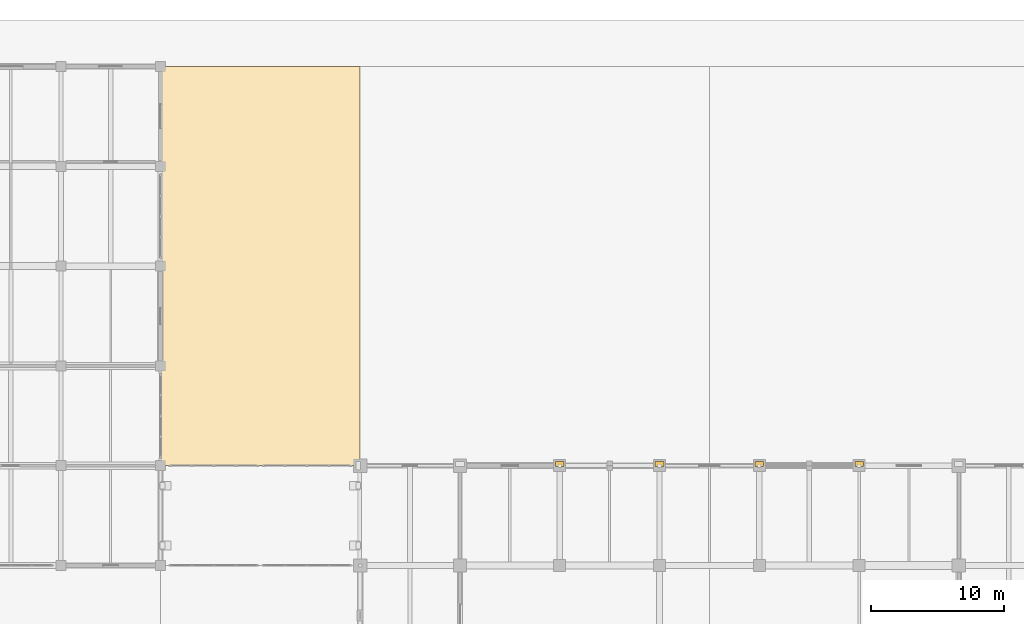
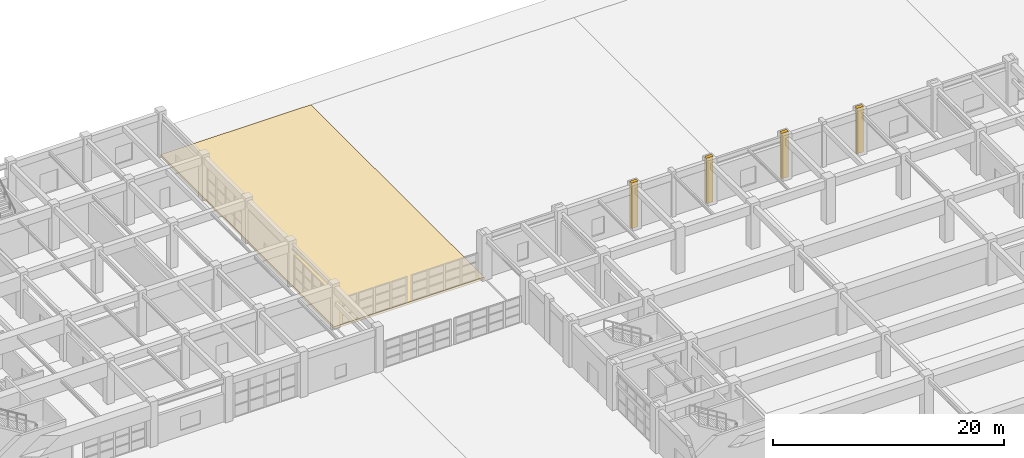
# One storey, part 116 of 122: 5 coverings.
"""IFC4 building model written with IfcOpenShell, lengths in metres."""

import ifcopenshell
import ifcopenshell.guid

model = None  # the IFC model being written
_history = None  # IfcOwnerHistory: only IFC2X3 demands one
_inside = {}  # id of a spatial element -> (the spatial element, [elements in it])
_under = {}  # id of a project, library or spatial element -> (it, [spatial elements below it])
_declared = {}  # id of a project -> (the project, [libraries it declares])
_typed = {}  # id of a type object -> (the type object, [elements of that type])
_made_of = {}  # id of a material, layer set ... -> (it, [elements and type objects made of it])


def new_model(schema):
    """Start an empty IFC model of exactly this schema.

    Asked for "IFC4X3", IfcOpenShell would pick the latest addendum, in which some entities
    have other attributes; the version numbers below select the first issue.
    IFC2X3 requires an IfcOwnerHistory on every rooted entity: one is made here for all.
    """
    global model, _history
    if schema == "IFC4X3":
        model = ifcopenshell.file(schema_version=(4, 3, 0, 0))
    else:
        model = ifcopenshell.file(schema=schema)
    _inside.clear()
    _under.clear()
    _declared.clear()
    _typed.clear()
    _made_of.clear()
    _history = None
    if model.schema == "IFC2X3":
        org = make("IfcOrganization", Name="unknown")
        user = make(
            "IfcPersonAndOrganization",
            ThePerson=make("IfcPerson", FamilyName="unknown"),
            TheOrganization=org,
        )
        app = make(
            "IfcApplication",
            ApplicationDeveloper=org,
            Version="unknown",
            ApplicationFullName="unknown",
            ApplicationIdentifier="unknown",
        )
        _history = make(
            "IfcOwnerHistory",
            OwningUser=user,
            OwningApplication=app,
            ChangeAction="ADDED",
            CreationDate=0,
        )
    return model


def make(cls, **values):
    """One entity of the class cls with the attributes given. An attribute that is None is left unset."""
    return model.create_entity(
        cls, **{name: value for name, value in values.items() if value is not None}
    )


def rooted(cls, **values):
    """An entity with a GlobalId (a new one), such as an element, a storey or a relation."""
    return make(cls, GlobalId=ifcopenshell.guid.new(), OwnerHistory=_history, **values)


def si_unit(unit_type, name, prefix=None):
    """IfcSIUnit, for example si_unit("LENGTHUNIT", "METRE", prefix="MILLI")."""
    return make("IfcSIUnit", UnitType=unit_type, Prefix=prefix, Name=name)


def assignment(units):
    """IfcUnitAssignment: the units of a project."""
    return None if units is None else make("IfcUnitAssignment", Units=units)


def point(xyz):
    """IfcCartesianPoint."""
    return None if xyz is None else make("IfcCartesianPoint", Coordinates=xyz)


def direction(xyz):
    """IfcDirection."""
    return None if xyz is None else make("IfcDirection", DirectionRatios=xyz)


def frame(location, z_axis=None, x_axis=None):
    """IfcAxis2Placement3D, a coordinate frame: its origin and axes. An axis left out is left unset."""
    return make(
        "IfcAxis2Placement3D",
        Location=point(location),
        Axis=direction(z_axis),
        RefDirection=direction(x_axis),
    )


def frame_2d(location, x_axis=None):
    """IfcAxis2Placement2D, a coordinate frame in the plane: its origin and x axis."""
    return make(
        "IfcAxis2Placement2D", Location=point(location), RefDirection=direction(x_axis)
    )


def origin():
    """The frame at (0, 0, 0) with its axes left unset."""
    return frame((0.0, 0.0, 0.0))


def origin_2d():
    """The frame at (0, 0) in the plane with its x axis left unset."""
    return frame_2d((0.0, 0.0))


def place(relative_to, where):
    """IfcLocalPlacement: puts the frame where relative to a parent placement (None: the world)."""
    return make(
        "IfcLocalPlacement", PlacementRelTo=relative_to, RelativePlacement=where
    )


def context(
    kind, dimensions, precision=None, world=None, true_north=None, identifier=None
):
    """IfcGeometricRepresentationContext, for example the 3D "Model" context."""
    return make(
        "IfcGeometricRepresentationContext",
        ContextIdentifier=identifier,
        ContextType=kind,
        CoordinateSpaceDimension=dimensions,
        Precision=precision,
        WorldCoordinateSystem=world,
        TrueNorth=true_north,
    )


def subcontext(parent, identifier, kind, view, scale=None):
    """IfcGeometricRepresentationSubContext, for example "Body" below "Model"."""
    return make(
        "IfcGeometricRepresentationSubContext",
        ContextIdentifier=identifier,
        ContextType=kind,
        ParentContext=parent,
        TargetScale=scale,
        TargetView=view,
    )


def project(units=None, contexts=None):
    """IfcProject with its units and contexts."""
    return rooted(
        "IfcProject",
        Name="project",
        RepresentationContexts=contexts,
        UnitsInContext=assignment(units),
    )


def spatial(cls, under=None, at=None, **own):
    """A site, building, storey or space (cls), placed at a placement, below another one or the project."""
    s = rooted(cls, ObjectPlacement=at, **own)
    if under is not None:
        _under.setdefault(under.id(), (under, []))[1].append(s)
    return s


def polyline(points):
    """IfcPolyline through the points."""
    return make("IfcPolyline", Points=[point(p) for p in points])


def profile(cls, at=None, kind="AREA", **sizes):
    """A parametric profile (cls). Its sizes go by their IFC names, for example OverallWidth=200.0."""
    return make(cls, ProfileType=kind, Position=at, **sizes)


def rectangle(**sizes):
    """IfcRectangleProfileDef."""
    return profile("IfcRectangleProfileDef", **sizes)


def outline(outer, holes=None, kind="AREA"):
    """IfcArbitraryClosedProfileDef: a profile drawn as a closed curve; with holes, ...WithVoids."""
    if holes is None:
        return make("IfcArbitraryClosedProfileDef", ProfileType=kind, OuterCurve=outer)
    return make(
        "IfcArbitraryProfileDefWithVoids",
        ProfileType=kind,
        OuterCurve=outer,
        InnerCurves=holes,
    )


def extrude(swept, where, along, depth):
    """IfcExtrudedAreaSolid: the profile swept, set in the frame where, extruded along a direction by depth."""
    return make(
        "IfcExtrudedAreaSolid",
        SweptArea=swept,
        Position=where,
        ExtrudedDirection=direction(along),
        Depth=depth,
    )


def shape(context_of_items, identifier, shape_type, items):
    """IfcShapeRepresentation: the items that make up one representation, for example the "Body"."""
    return make(
        "IfcShapeRepresentation",
        ContextOfItems=context_of_items,
        RepresentationIdentifier=identifier,
        RepresentationType=shape_type,
        Items=items,
    )


def material(Name=None, Category=None):
    """IfcMaterial."""
    return make("IfcMaterial", Name=Name, Category=Category)


def layer(
    of_material, thickness, ventilated=None, Name=None, Category=None, Priority=None
):
    """IfcMaterialLayer: one layer of a wall or slab, of a material (None: an air gap)."""
    return make(
        "IfcMaterialLayer",
        Material=of_material,
        LayerThickness=thickness,
        IsVentilated=ventilated,
        Name=Name,
        Category=Category,
        Priority=Priority,
    )


def layer_set(layers, Name=None):
    """IfcMaterialLayerSet."""
    return make("IfcMaterialLayerSet", MaterialLayers=layers, LayerSetName=Name)


def made_of(thing, what):
    """Note that an element or type object is made of a material, layer set ...; save() writes the relation."""
    if what is not None:
        _made_of.setdefault(what.id(), (what, []))[1].append(thing)
    return thing


def type_object(cls, material=None, **own):
    """A type object (cls), such as IfcWallType, which elements share."""
    return made_of(rooted(cls, **own), material)


def element(
    cls,
    number,
    at=None,
    inside=None,
    cuts=None,
    type_object=None,
    material=None,
    context=None,
    identifier="Body",
    shape_type=None,
    held_by="IfcProductDefinitionShape",
    body=None,
    shapes=None,
    **own,
):
    """One element of the class cls, such as IfcWall. Its Tag is "e" and its number.

    at: its placement. inside: the storey or other place that contains it. cuts: it is an
    opening in that element (IfcRelVoidsElement). A single representation is given by context,
    identifier, shape_type and body (its items); several are given by shapes. held_by: the class
    of the entity that holds the representations. save() writes the other relations.
    """
    e = rooted(cls, Tag="e%d" % number, ObjectPlacement=at, **own)
    if body is not None:
        shapes = [shape(context, identifier, shape_type, body)]
    if shapes is not None:
        e.Representation = make(held_by, Representations=shapes)
    if inside is not None:
        _inside.setdefault(inside.id(), (inside, []))[1].append(e)
    if cuts is not None:
        rooted(
            "IfcRelVoidsElement", RelatingBuildingElement=cuts, RelatedOpeningElement=e
        )
    if type_object is not None:
        _typed.setdefault(type_object.id(), (type_object, []))[1].append(e)
    return made_of(e, material)


def aggregate(whole, parts):
    """IfcRelAggregates: a whole, such as a stair, and the parts it consists of."""
    return rooted("IfcRelAggregates", RelatingObject=whole, RelatedObjects=parts)


def save(model, path):
    """Write the relations noted so far, then the file.

    IfcRelAggregates (storeys below a building ...), IfcRelContainedInSpatialStructure (elements
    in a storey), IfcRelDefinesByType, IfcRelAssociatesMaterial and IfcRelDeclares: one each for
    every whole, place, type object, material and project.
    """
    for whole, parts in _under.values():
        aggregate(whole, parts)
    for where, things in _inside.values():
        rooted(
            "IfcRelContainedInSpatialStructure",
            RelatedElements=things,
            RelatingStructure=where,
        )
    for kind, things in _typed.values():
        rooted("IfcRelDefinesByType", RelatedObjects=things, RelatingType=kind)
    for what, things in _made_of.values():
        rooted("IfcRelAssociatesMaterial", RelatedObjects=things, RelatingMaterial=what)
    for by, libraries in _declared.values():
        rooted("IfcRelDeclares", RelatingContext=by, RelatedDefinitions=libraries)
    model.write(path)


model = new_model("IFC4")

# Units and contexts
model_context = context("Model", 3, precision=1e-05, world=origin(), true_north=direction((0.0, 1.0)))
body_context = subcontext(model_context, "Body", "Model", "MODEL_VIEW")
ifc_project = project(units=[si_unit("LENGTHUNIT", "METRE"), si_unit("AREAUNIT", "SQUARE_METRE"), si_unit("VOLUMEUNIT", "CUBIC_METRE"), si_unit("PLANEANGLEUNIT", "RADIAN"), si_unit("MASSUNIT", "GRAM", prefix="KILO")], contexts=[model_context])

# Site, building, storey
site_placement = place(None, origin())
site = spatial("IfcSite", under=ifc_project, at=site_placement, CompositionType="ELEMENT")
building_placement = place(site_placement, origin())
building = spatial("IfcBuilding", under=site, at=building_placement, Name="Qasida Concert Hall", CompositionType="ELEMENT")
storey_placement = place(building_placement, origin())
storey = spatial("IfcBuildingStorey", under=building, at=storey_placement, Name="L00", CompositionType="ELEMENT", Elevation=0.0)

# Coverings
ifc_material_1 = material(Name="Bush-hammered Lebanese limestone plaza paving", Category="masonry")
ifc_layer_1 = layer(ifc_material_1, 0.25, Name="Bush-hammered Lebanese limestone plaza paving")
ifc_layer_set_1 = layer_set([ifc_layer_1], Name="Bush-hammered Lebanese limestone plaza paving")
covering_type_1 = type_object("IfcCoveringType", Name="CV-PAV-250", PredefinedType="FLOORING", material=ifc_layer_set_1)
covering_placement = place(storey_placement, frame((0.0, 0.0, -0.25)))
element("IfcCovering", 1, at=covering_placement, inside=storey, type_object=covering_type_1, Name="L00 North-west artist court plaza", PredefinedType="FLOORING", context=body_context, shape_type="SweptSolid", body=[
    extrude(outline(polyline([(37.5, 82.5), (52.5, 82.5), (52.5, 112.5), (37.5, 112.5), (37.5, 82.5)])), origin(), (0.0, 0.0, 1.0), 0.25),
])
ifc_material_2 = material(Name="Projecting fluted Lebanese limestone Art Deco pilaster", Category="masonry")
ifc_layer_2 = layer(ifc_material_2, 0.35009765625, Name="Projecting fluted Lebanese limestone Art Deco pilaster")
ifc_layer_set_2 = layer_set([ifc_layer_2], Name="Projecting fluted Lebanese limestone Art Deco pilaster")
covering_type_2 = type_object("IfcCoveringType", Name="CV-PIL-650", PredefinedType="CLADDING", material=ifc_layer_set_2)
for number, where, z_axis, x_axis, name in (
    (2, (67.5, 82.635009765625, 0.0), (0.0, 0.0, 1.0), (1.0, 0.0, 0.0), "L00 fluted limestone pilaster 0106"),
    (3, (75.0, 82.635009765625, 0.0), (0.0, 0.0, 1.0), (1.0, 0.0, 0.0), "L00 fluted limestone pilaster 0113"),
    (4, (82.5, 82.635009765625, 0.0), (0.0, 0.0, 1.0), (1.0, 0.0, 0.0), "L00 fluted limestone pilaster 0120"),
    (5, (90.0, 82.635009765625, 0.0), (0.0, 0.0, 1.0), (1.0, 0.0, 0.0), "L00 fluted limestone pilaster 0127"),
):
    element("IfcCovering", number, at=place(storey_placement, frame(where, z_axis=z_axis, x_axis=x_axis)), inside=storey, type_object=covering_type_2, Name=name, PredefinedType="CLADDING", context=body_context, shape_type="SweptSolid", body=[
        extrude(rectangle(XDim=0.64990234375, YDim=0.35009765625, at=origin_2d()), origin(), (0.0, 0.0, 1.0), 4.800048828125),
    ])

save(model, "model.ifc")
